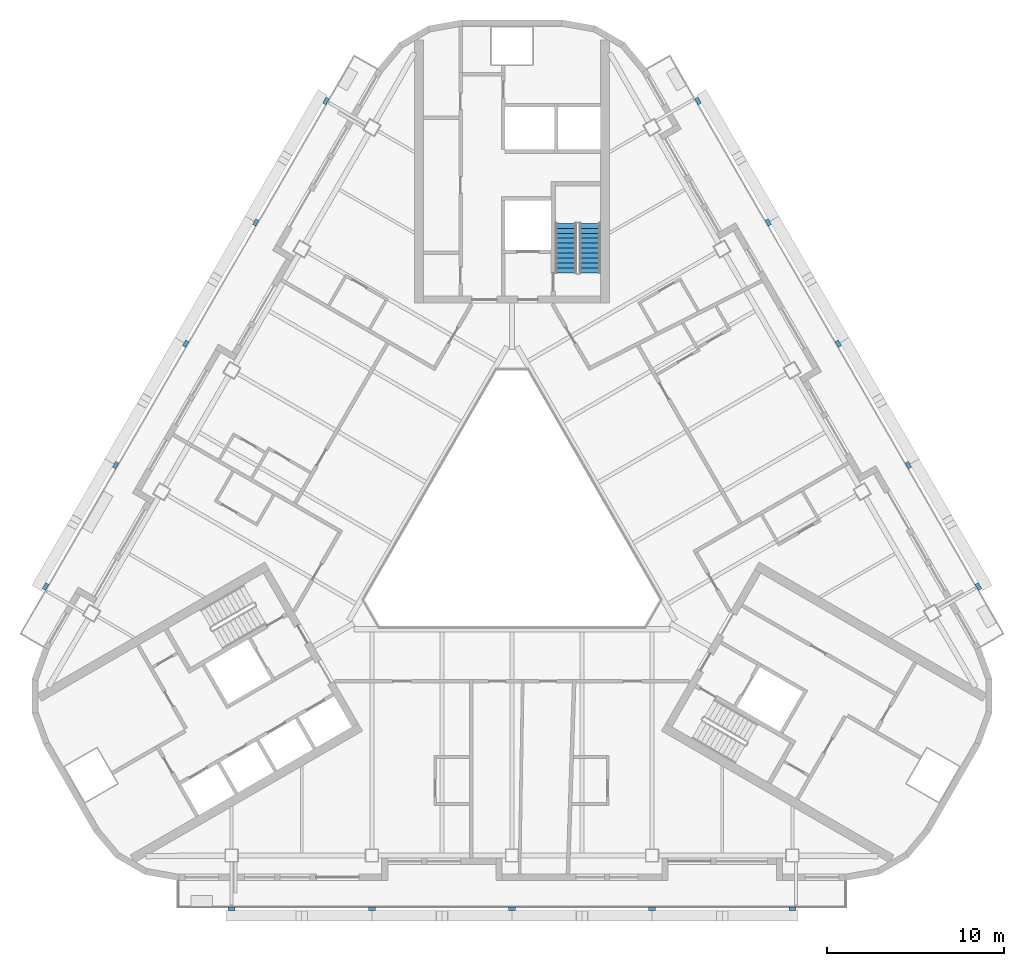
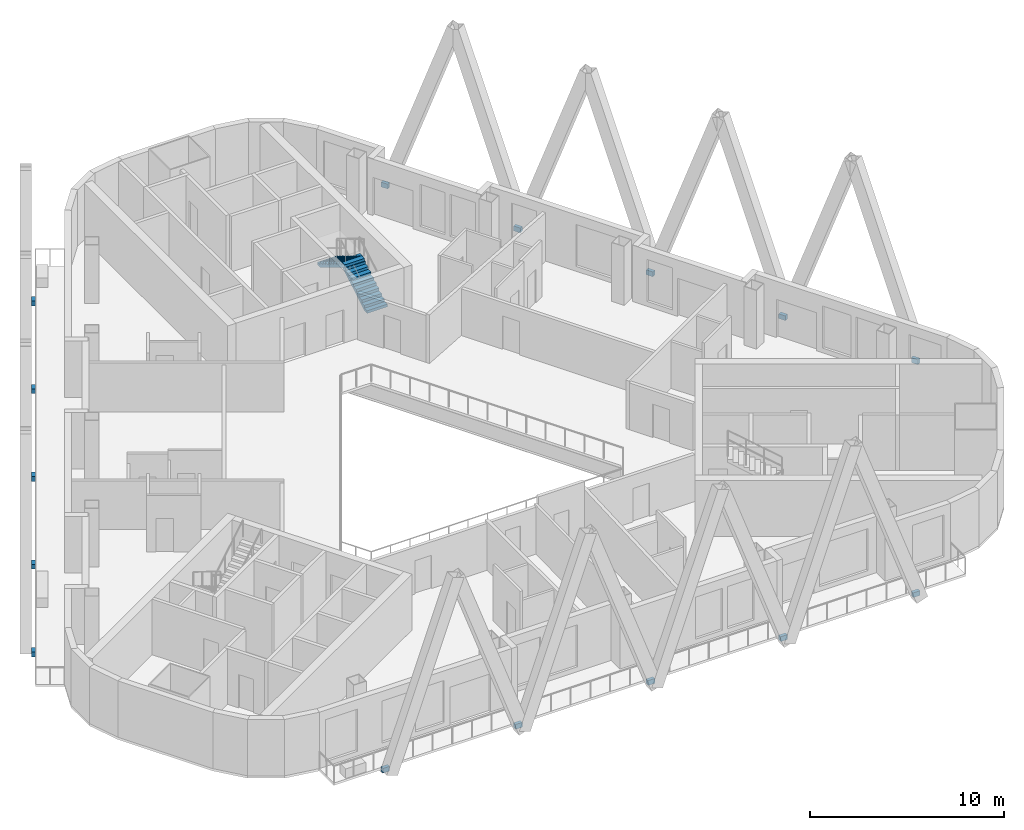
# One storey, part 8 of 14: 15 discrete accessories, 2 stair flights, 1 element without a shape of its own.
"""IFC4 building model written with IfcOpenShell, lengths in metres."""

from ifc_helpers import new_model, si_unit, direction, frame, origin, origin_2d, place, context, subcontext, project, spatial, polyline, rectangle, outline, extrude, material, type_object, element, aggregate, save


model = new_model("IFC4")

# Units and contexts
model_context = context("Model", 3, precision=1e-05, world=origin(), true_north=direction((0.0, 1.0)))
body_context = subcontext(model_context, "Body", "Model", "MODEL_VIEW")
ifc_project = project(units=[si_unit("LENGTHUNIT", "METRE"), si_unit("AREAUNIT", "SQUARE_METRE"), si_unit("VOLUMEUNIT", "CUBIC_METRE"), si_unit("PLANEANGLEUNIT", "RADIAN"), si_unit("MASSUNIT", "GRAM", prefix="KILO")], contexts=[model_context])

# Site, building, storey
site_placement = place(None, origin())
site = spatial("IfcSite", under=ifc_project, at=site_placement, CompositionType="ELEMENT")
building_placement = place(site_placement, origin())
building = spatial("IfcBuilding", under=site, at=building_placement, Name="Apuvela Tower Hotel", CompositionType="ELEMENT")
storey_placement = place(building_placement, frame((0.0, 0.0, 213.199951171875)))
storey = spatial("IfcBuildingStorey", under=building, at=storey_placement, Name="L52", CompositionType="ELEMENT", Elevation=213.199951171875)

# Stair, stair flights
ifc_material_1 = material(Name="Concrete C50/60", Category="concrete")
stair_type = type_object("IfcStairType", Name="COR-STAIR-22R", PredefinedType="HALF_TURN_STAIR", material=ifc_material_1)
stair_placement = place(storey_placement, origin())
stair = element("IfcStair", 1, at=stair_placement, inside=storey, type_object=stair_type, Name="L52 Exit stair ST1", PredefinedType="HALF_TURN_STAIR")
stair_flight_type = type_object("IfcStairFlightType", Name="COR-FLIGHT-11R", PredefinedType="STRAIGHT", material=ifc_material_1)
stair_flight_1_placement = place(storey_placement, frame((4.39990234375, 14.60009765625, 0.0), z_axis=(0.0, 0.0, 1.0), x_axis=(0.0, 1.0, 0.0)))
stair_flight_1 = element("IfcStairFlight", 2, at=stair_flight_1_placement, type_object=stair_flight_type, Name="ST1 flight 1", NumberOfRisers=11, NumberOfTreads=10, PredefinedType="STRAIGHT", RiserHeight=0.168181818, TreadLength=0.28, context=body_context, shape_type="SweptSolid", body=[
    extrude(outline(polyline([(0.0, 0.0), (0.0, 0.168212890625), (0.280029296875, 0.168212890625), (0.280029296875, 0.33642578125), (0.56005859375, 0.33642578125), (0.56005859375, 0.504638671875), (0.840087890625, 0.504638671875), (0.840087890625, 0.672607421875), (1.1201171875, 0.672607421875), (1.1201171875, 0.8408203125), (1.39990234375, 0.8408203125), (1.39990234375, 1.009033203125), (1.679931640625, 1.009033203125), (1.679931640625, 1.17724609375), (1.9599609375, 1.17724609375), (1.9599609375, 1.345458984375), (2.239990234375, 1.345458984375), (2.239990234375, 1.513671875), (2.52001953125, 1.513671875), (2.52001953125, 1.681884765625), (2.800048828125, 1.681884765625), (2.800048828125, 1.85009765625), (2.800048828125, 1.5068359375), (0.291015625, 0.0), (0.0, 0.0)])), frame((0.0, 0.60009765625, 0.0), z_axis=(0.0, -1.0, 0.0), x_axis=(1.0, 0.0, 0.0)), (0.0, 0.0, 1.0), 1.199951171875),
])
stair_flight_2_placement = place(storey_placement, frame((3.050048828125, 17.39990234375, 1.85009765625), z_axis=(0.0, 0.0, 1.0), x_axis=(0.0, -1.0, 0.0)))
stair_flight_2 = element("IfcStairFlight", 3, at=stair_flight_2_placement, type_object=stair_flight_type, Name="ST1 flight 2", NumberOfRisers=11, NumberOfTreads=10, PredefinedType="STRAIGHT", RiserHeight=0.168181818, TreadLength=0.28, context=body_context, shape_type="SweptSolid", body=[
    extrude(outline(polyline([(0.0, 0.0), (0.0, 0.168212890625), (0.280029296875, 0.168212890625), (0.280029296875, 0.33642578125), (0.56005859375, 0.33642578125), (0.56005859375, 0.504638671875), (0.840087890625, 0.504638671875), (0.840087890625, 0.672607421875), (1.1201171875, 0.672607421875), (1.1201171875, 0.8408203125), (1.39990234375, 0.8408203125), (1.39990234375, 1.009033203125), (1.679931640625, 1.009033203125), (1.679931640625, 1.17724609375), (1.9599609375, 1.17724609375), (1.9599609375, 1.345458984375), (2.239990234375, 1.345458984375), (2.239990234375, 1.513671875), (2.52001953125, 1.513671875), (2.52001953125, 1.681884765625), (2.800048828125, 1.681884765625), (2.800048828125, 1.85009765625), (2.800048828125, 1.5068359375), (0.291015625, 0.0), (0.0, 0.0)])), frame((0.0, 0.60009765625, 0.0), z_axis=(0.0, -1.0, 0.0), x_axis=(1.0, 0.0, 0.0)), (0.0, 0.0, 1.0), 1.199951171875),
])
aggregate(stair, [stair_flight_1, stair_flight_2])

# Discrete accessories
ifc_material_2 = material(Name="Steel S355, black paint system", Category="steel")
discrete_accessory_type = type_object("IfcDiscreteAccessoryType", Name="ENV-FIN-BRACKET", PredefinedType="BRACKET", material=ifc_material_2)
for number, where, z_axis, x_axis, name in (
    (4, (26.28564453125, -3.068115234375, -0.25), (0.0, 0.0, 1.0), (-0.5, 0.866025403784, 0.0), "Fin bracket NE96"),
    (5, (22.335693359375, 3.7734375, -0.25), (0.0, 0.0, 1.0), (-0.5, 0.866025403784, 0.0), "Fin bracket NE97"),
    (6, (18.3857421875, 10.614990234375, -0.25), (0.0, 0.0, 1.0), (-0.5, 0.866025403784, 0.0), "Fin bracket NE98"),
    (7, (14.435791015625, 17.45654296875, -0.25), (0.0, 0.0, 1.0), (-0.5, 0.866025403784, 0.0), "Fin bracket NE99"),
    (8, (10.485595703125, 24.298095703125, -0.25), (0.0, 0.0, 1.0), (-0.5, 0.866025403784, 0.0), "Fin bracket NE100"),
    (9, (-10.485595703125, 24.298095703125, -0.25), (0.0, 0.0, 1.0), (-0.5, -0.866025403784, 0.0), "Fin bracket NW245"),
    (10, (-14.435791015625, 17.45654296875, -0.25), (0.0, 0.0, 1.0), (-0.5, -0.866025403784, 0.0), "Fin bracket NW246"),
    (11, (-18.3857421875, 10.614990234375, -0.25), (0.0, 0.0, 1.0), (-0.5, -0.866025403784, 0.0), "Fin bracket NW247"),
    (12, (-22.335693359375, 3.7734375, -0.25), (0.0, 0.0, 1.0), (-0.5, -0.866025403784, 0.0), "Fin bracket NW248"),
    (13, (-26.28564453125, -3.068115234375, -0.25), (0.0, 0.0, 1.0), (-0.5, -0.866025403784, 0.0), "Fin bracket NW249"),
    (14, (-15.800048828125, -21.22998046875, -0.25), (0.0, 0.0, 1.0), (1.0, 0.0, 0.0), "Fin bracket S395"),
    (15, (-7.89990234375, -21.22998046875, -0.25), (0.0, 0.0, 1.0), (1.0, 0.0, 0.0), "Fin bracket S396"),
    (16, (0.0, -21.22998046875, -0.25), (0.0, 0.0, 1.0), (1.0, 0.0, 0.0), "Fin bracket S397"),
    (17, (7.89990234375, -21.22998046875, -0.25), (0.0, 0.0, 1.0), (1.0, 0.0, 0.0), "Fin bracket S398"),
    (18, (15.800048828125, -21.22998046875, -0.25), (0.0, 0.0, 1.0), (1.0, 0.0, 0.0), "Fin bracket S399"),
):
    element("IfcDiscreteAccessory", number, at=place(storey_placement, frame(where, z_axis=z_axis, x_axis=x_axis)), inside=storey, type_object=discrete_accessory_type, Name=name, PredefinedType="BRACKET", context=body_context, shape_type="SweptSolid", body=[
        extrude(rectangle(XDim=0.39990234375, YDim=0.199951171875, at=origin_2d()), origin(), (0.0, 0.0, 1.0), 0.300048828125),
    ])

save(model, "model.ifc")
